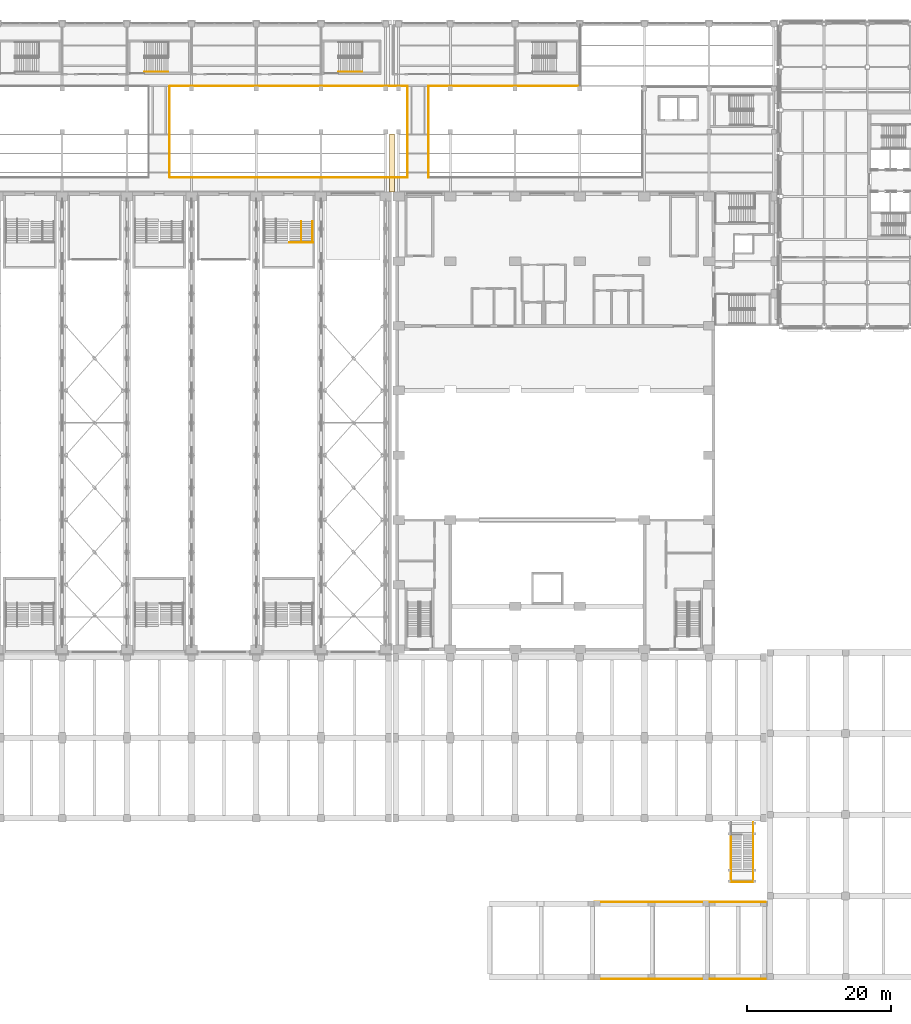
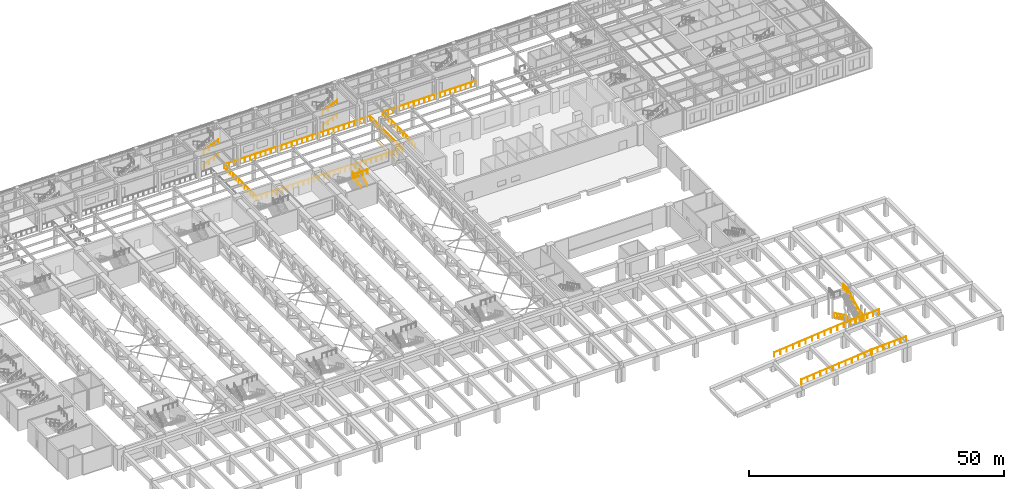
# One storey, part 70 of 76: 18 railings, 1 covering.
"""IFC4 building model written with IfcOpenShell, lengths in metres."""

from ifc_helpers import new_model, si_unit, direction, frame, origin, origin_2d, place, context, subcontext, project, spatial, polyline, circle, outline, extrude, material, layer, layer_set, type_object, element, save


model = new_model("IFC4")

# Units and contexts
model_context = context("Model", 3, precision=1e-05, world=origin(), true_north=direction((0.0, 1.0)))
body_context = subcontext(model_context, "Body", "Model", "MODEL_VIEW")
ifc_project = project(units=[si_unit("LENGTHUNIT", "METRE"), si_unit("AREAUNIT", "SQUARE_METRE"), si_unit("VOLUMEUNIT", "CUBIC_METRE"), si_unit("PLANEANGLEUNIT", "RADIAN"), si_unit("MASSUNIT", "GRAM", prefix="KILO")], contexts=[model_context])

# Site, building, storey
site_placement = place(None, origin())
site = spatial("IfcSite", under=ifc_project, at=site_placement, CompositionType="ELEMENT")
building_placement = place(site_placement, origin())
building = spatial("IfcBuilding", under=site, at=building_placement, Name="Aravalli Gate Trade Fair Centre", CompositionType="ELEMENT")
storey_placement = place(building_placement, frame((0.0, 0.0, 10.0)))
storey = spatial("IfcBuildingStorey", under=building, at=storey_placement, Name="L02", CompositionType="ELEMENT", Elevation=10.0)

# Railings
ifc_material_1 = material(Name="Steel E350", Category="steel")
railing_type_1 = type_object("IfcRailingType", Name="Concourse guard 1100", PredefinedType="GUARDRAIL", material=ifc_material_1)
railing_1_placement = place(storey_placement, frame((74.949951171875, 111.64990234375, 0.0)))
element("IfcRailing", 1, at=railing_1_placement, inside=storey, type_object=railing_type_1, Name="Atrium guard S3 L02", PredefinedType="GUARDRAIL", context=body_context, shape_type="SweptSolid", body=[
    extrude(circle(Radius=0.02392578125, at=origin_2d()), frame((0.0, 0.0, 1.076171875), z_axis=(1.0, 0.0, 0.0), x_axis=(0.0, 1.0, 0.0)), (0.0, 0.0, 1.0), 33.10009765625),
    extrude(circle(Radius=0.02099609375, at=origin_2d()), origin(), (0.0, 0.0, 1.0), 1.052001953125),
    extrude(circle(Radius=0.02099609375, at=origin_2d()), frame((1.18212890625, 0.0, 0.0)), (0.0, 0.0, 1.0), 1.052001953125),
    extrude(circle(Radius=0.02099609375, at=origin_2d()), frame((2.3642578125, 0.0, 0.0)), (0.0, 0.0, 1.0), 1.052001953125),
    extrude(circle(Radius=0.02099609375, at=origin_2d()), frame((3.54638671875, 0.0, 0.0)), (0.0, 0.0, 1.0), 1.052001953125),
    extrude(circle(Radius=0.02099609375, at=origin_2d()), frame((4.728515625, 0.0, 0.0)), (0.0, 0.0, 1.0), 1.052001953125),
    extrude(circle(Radius=0.02099609375, at=origin_2d()), frame((5.91064453125, 0.0, 0.0)), (0.0, 0.0, 1.0), 1.052001953125),
    extrude(circle(Radius=0.02099609375, at=origin_2d()), frame((7.0927734375, 0.0, 0.0)), (0.0, 0.0, 1.0), 1.052001953125),
    extrude(circle(Radius=0.02099609375, at=origin_2d()), frame((8.27490234375, 0.0, 0.0)), (0.0, 0.0, 1.0), 1.052001953125),
    extrude(circle(Radius=0.02099609375, at=origin_2d()), frame((9.457275390625, 0.0, 0.0)), (0.0, 0.0, 1.0), 1.052001953125),
    extrude(circle(Radius=0.02099609375, at=origin_2d()), frame((10.639404296875, 0.0, 0.0)), (0.0, 0.0, 1.0), 1.052001953125),
    extrude(circle(Radius=0.02099609375, at=origin_2d()), frame((11.821533203125, 0.0, 0.0)), (0.0, 0.0, 1.0), 1.052001953125),
    extrude(circle(Radius=0.02099609375, at=origin_2d()), frame((13.003662109375, 0.0, 0.0)), (0.0, 0.0, 1.0), 1.052001953125),
    extrude(circle(Radius=0.02099609375, at=origin_2d()), frame((14.185791015625, 0.0, 0.0)), (0.0, 0.0, 1.0), 1.052001953125),
    extrude(circle(Radius=0.02099609375, at=origin_2d()), frame((15.367919921875, 0.0, 0.0)), (0.0, 0.0, 1.0), 1.052001953125),
    extrude(circle(Radius=0.02099609375, at=origin_2d()), frame((16.550048828125, 0.0, 0.0)), (0.0, 0.0, 1.0), 1.052001953125),
    extrude(circle(Radius=0.02099609375, at=origin_2d()), frame((17.732177734375, 0.0, 0.0)), (0.0, 0.0, 1.0), 1.052001953125),
    extrude(circle(Radius=0.02099609375, at=origin_2d()), frame((18.914306640625, 0.0, 0.0)), (0.0, 0.0, 1.0), 1.052001953125),
    extrude(circle(Radius=0.02099609375, at=origin_2d()), frame((20.096435546875, 0.0, 0.0)), (0.0, 0.0, 1.0), 1.052001953125),
    extrude(circle(Radius=0.02099609375, at=origin_2d()), frame((21.278564453125, 0.0, 0.0)), (0.0, 0.0, 1.0), 1.052001953125),
    extrude(circle(Radius=0.02099609375, at=origin_2d()), frame((22.460693359375, 0.0, 0.0)), (0.0, 0.0, 1.0), 1.052001953125),
    extrude(circle(Radius=0.02099609375, at=origin_2d()), frame((23.642822265625, 0.0, 0.0)), (0.0, 0.0, 1.0), 1.052001953125),
    extrude(circle(Radius=0.02099609375, at=origin_2d()), frame((24.8251953125, 0.0, 0.0)), (0.0, 0.0, 1.0), 1.052001953125),
    extrude(circle(Radius=0.02099609375, at=origin_2d()), frame((26.00732421875, 0.0, 0.0)), (0.0, 0.0, 1.0), 1.052001953125),
    extrude(circle(Radius=0.02099609375, at=origin_2d()), frame((27.189453125, 0.0, 0.0)), (0.0, 0.0, 1.0), 1.052001953125),
    extrude(circle(Radius=0.02099609375, at=origin_2d()), frame((28.37158203125, 0.0, 0.0)), (0.0, 0.0, 1.0), 1.052001953125),
    extrude(circle(Radius=0.02099609375, at=origin_2d()), frame((29.5537109375, 0.0, 0.0)), (0.0, 0.0, 1.0), 1.052001953125),
    extrude(circle(Radius=0.02099609375, at=origin_2d()), frame((30.73583984375, 0.0, 0.0)), (0.0, 0.0, 1.0), 1.052001953125),
    extrude(circle(Radius=0.02099609375, at=origin_2d()), frame((31.91796875, 0.0, 0.0)), (0.0, 0.0, 1.0), 1.052001953125),
    extrude(circle(Radius=0.02099609375, at=origin_2d()), frame((33.10009765625, 0.0, 0.0)), (0.0, 0.0, 1.0), 1.052001953125),
])
railing_2_placement = place(storey_placement, frame((74.949951171875, 124.35009765625, 0.0)))
element("IfcRailing", 2, at=railing_2_placement, inside=storey, type_object=railing_type_1, Name="Atrium guard N3 L02", PredefinedType="GUARDRAIL", context=body_context, shape_type="SweptSolid", body=[
    extrude(circle(Radius=0.02392578125, at=origin_2d()), frame((0.0, 0.0, 1.076171875), z_axis=(1.0, 0.0, 0.0), x_axis=(0.0, 1.0, 0.0)), (0.0, 0.0, 1.0), 33.10009765625),
    extrude(circle(Radius=0.02099609375, at=origin_2d()), origin(), (0.0, 0.0, 1.0), 1.052001953125),
    extrude(circle(Radius=0.02099609375, at=origin_2d()), frame((1.18212890625, 0.0, 0.0)), (0.0, 0.0, 1.0), 1.052001953125),
    extrude(circle(Radius=0.02099609375, at=origin_2d()), frame((2.3642578125, 0.0, 0.0)), (0.0, 0.0, 1.0), 1.052001953125),
    extrude(circle(Radius=0.02099609375, at=origin_2d()), frame((3.54638671875, 0.0, 0.0)), (0.0, 0.0, 1.0), 1.052001953125),
    extrude(circle(Radius=0.02099609375, at=origin_2d()), frame((4.728515625, 0.0, 0.0)), (0.0, 0.0, 1.0), 1.052001953125),
    extrude(circle(Radius=0.02099609375, at=origin_2d()), frame((5.91064453125, 0.0, 0.0)), (0.0, 0.0, 1.0), 1.052001953125),
    extrude(circle(Radius=0.02099609375, at=origin_2d()), frame((7.0927734375, 0.0, 0.0)), (0.0, 0.0, 1.0), 1.052001953125),
    extrude(circle(Radius=0.02099609375, at=origin_2d()), frame((8.27490234375, 0.0, 0.0)), (0.0, 0.0, 1.0), 1.052001953125),
    extrude(circle(Radius=0.02099609375, at=origin_2d()), frame((9.457275390625, 0.0, 0.0)), (0.0, 0.0, 1.0), 1.052001953125),
    extrude(circle(Radius=0.02099609375, at=origin_2d()), frame((10.639404296875, 0.0, 0.0)), (0.0, 0.0, 1.0), 1.052001953125),
    extrude(circle(Radius=0.02099609375, at=origin_2d()), frame((11.821533203125, 0.0, 0.0)), (0.0, 0.0, 1.0), 1.052001953125),
    extrude(circle(Radius=0.02099609375, at=origin_2d()), frame((13.003662109375, 0.0, 0.0)), (0.0, 0.0, 1.0), 1.052001953125),
    extrude(circle(Radius=0.02099609375, at=origin_2d()), frame((14.185791015625, 0.0, 0.0)), (0.0, 0.0, 1.0), 1.052001953125),
    extrude(circle(Radius=0.02099609375, at=origin_2d()), frame((15.367919921875, 0.0, 0.0)), (0.0, 0.0, 1.0), 1.052001953125),
    extrude(circle(Radius=0.02099609375, at=origin_2d()), frame((16.550048828125, 0.0, 0.0)), (0.0, 0.0, 1.0), 1.052001953125),
    extrude(circle(Radius=0.02099609375, at=origin_2d()), frame((17.732177734375, 0.0, 0.0)), (0.0, 0.0, 1.0), 1.052001953125),
    extrude(circle(Radius=0.02099609375, at=origin_2d()), frame((18.914306640625, 0.0, 0.0)), (0.0, 0.0, 1.0), 1.052001953125),
    extrude(circle(Radius=0.02099609375, at=origin_2d()), frame((20.096435546875, 0.0, 0.0)), (0.0, 0.0, 1.0), 1.052001953125),
    extrude(circle(Radius=0.02099609375, at=origin_2d()), frame((21.278564453125, 0.0, 0.0)), (0.0, 0.0, 1.0), 1.052001953125),
    extrude(circle(Radius=0.02099609375, at=origin_2d()), frame((22.460693359375, 0.0, 0.0)), (0.0, 0.0, 1.0), 1.052001953125),
    extrude(circle(Radius=0.02099609375, at=origin_2d()), frame((23.642822265625, 0.0, 0.0)), (0.0, 0.0, 1.0), 1.052001953125),
    extrude(circle(Radius=0.02099609375, at=origin_2d()), frame((24.8251953125, 0.0, 0.0)), (0.0, 0.0, 1.0), 1.052001953125),
    extrude(circle(Radius=0.02099609375, at=origin_2d()), frame((26.00732421875, 0.0, 0.0)), (0.0, 0.0, 1.0), 1.052001953125),
    extrude(circle(Radius=0.02099609375, at=origin_2d()), frame((27.189453125, 0.0, 0.0)), (0.0, 0.0, 1.0), 1.052001953125),
    extrude(circle(Radius=0.02099609375, at=origin_2d()), frame((28.37158203125, 0.0, 0.0)), (0.0, 0.0, 1.0), 1.052001953125),
    extrude(circle(Radius=0.02099609375, at=origin_2d()), frame((29.5537109375, 0.0, 0.0)), (0.0, 0.0, 1.0), 1.052001953125),
    extrude(circle(Radius=0.02099609375, at=origin_2d()), frame((30.73583984375, 0.0, 0.0)), (0.0, 0.0, 1.0), 1.052001953125),
    extrude(circle(Radius=0.02099609375, at=origin_2d()), frame((31.91796875, 0.0, 0.0)), (0.0, 0.0, 1.0), 1.052001953125),
    extrude(circle(Radius=0.02099609375, at=origin_2d()), frame((33.10009765625, 0.0, 0.0)), (0.0, 0.0, 1.0), 1.052001953125),
])
railing_3_placement = place(storey_placement, frame((110.949951171875, 124.35009765625, 0.0)))
element("IfcRailing", 3, at=railing_3_placement, inside=storey, type_object=railing_type_1, Name="Atrium guard N4 L02", PredefinedType="GUARDRAIL", context=body_context, shape_type="SweptSolid", body=[
    extrude(circle(Radius=0.02392578125, at=origin_2d()), frame((0.0, 0.0, 1.076171875), z_axis=(1.0, 0.0, 0.0), x_axis=(0.0, 1.0, 0.0)), (0.0, 0.0, 1.0), 21.150146484375),
    extrude(circle(Radius=0.02099609375, at=origin_2d()), origin(), (0.0, 0.0, 1.0), 1.052001953125),
    extrude(circle(Radius=0.02099609375, at=origin_2d()), frame((1.175048828125, 0.0, 0.0)), (0.0, 0.0, 1.0), 1.052001953125),
    extrude(circle(Radius=0.02099609375, at=origin_2d()), frame((2.35009765625, 0.0, 0.0)), (0.0, 0.0, 1.0), 1.052001953125),
    extrude(circle(Radius=0.02099609375, at=origin_2d()), frame((3.52490234375, 0.0, 0.0)), (0.0, 0.0, 1.0), 1.052001953125),
    extrude(circle(Radius=0.02099609375, at=origin_2d()), frame((4.699951171875, 0.0, 0.0)), (0.0, 0.0, 1.0), 1.052001953125),
    extrude(circle(Radius=0.02099609375, at=origin_2d()), frame((5.875, 0.0, 0.0)), (0.0, 0.0, 1.0), 1.052001953125),
    extrude(circle(Radius=0.02099609375, at=origin_2d()), frame((7.050048828125, 0.0, 0.0)), (0.0, 0.0, 1.0), 1.052001953125),
    extrude(circle(Radius=0.02099609375, at=origin_2d()), frame((8.22509765625, 0.0, 0.0)), (0.0, 0.0, 1.0), 1.052001953125),
    extrude(circle(Radius=0.02099609375, at=origin_2d()), frame((9.400146484375, 0.0, 0.0)), (0.0, 0.0, 1.0), 1.052001953125),
    extrude(circle(Radius=0.02099609375, at=origin_2d()), frame((10.5751953125, 0.0, 0.0)), (0.0, 0.0, 1.0), 1.052001953125),
    extrude(circle(Radius=0.02099609375, at=origin_2d()), frame((11.75, 0.0, 0.0)), (0.0, 0.0, 1.0), 1.052001953125),
    extrude(circle(Radius=0.02099609375, at=origin_2d()), frame((12.925048828125, 0.0, 0.0)), (0.0, 0.0, 1.0), 1.052001953125),
    extrude(circle(Radius=0.02099609375, at=origin_2d()), frame((14.10009765625, 0.0, 0.0)), (0.0, 0.0, 1.0), 1.052001953125),
    extrude(circle(Radius=0.02099609375, at=origin_2d()), frame((15.275146484375, 0.0, 0.0)), (0.0, 0.0, 1.0), 1.052001953125),
    extrude(circle(Radius=0.02099609375, at=origin_2d()), frame((16.4501953125, 0.0, 0.0)), (0.0, 0.0, 1.0), 1.052001953125),
    extrude(circle(Radius=0.02099609375, at=origin_2d()), frame((17.625, 0.0, 0.0)), (0.0, 0.0, 1.0), 1.052001953125),
    extrude(circle(Radius=0.02099609375, at=origin_2d()), frame((18.800048828125, 0.0, 0.0)), (0.0, 0.0, 1.0), 1.052001953125),
    extrude(circle(Radius=0.02099609375, at=origin_2d()), frame((19.97509765625, 0.0, 0.0)), (0.0, 0.0, 1.0), 1.052001953125),
    extrude(circle(Radius=0.02099609375, at=origin_2d()), frame((21.150146484375, 0.0, 0.0)), (0.0, 0.0, 1.0), 1.052001953125),
])
for number, where, name in (
    (4, (74.949951171875, 111.64990234375, 0.0), "Atrium guard BB2 L02"),
    (5, (108.050048828125, 111.64990234375, 0.0), "Atrium guard BA3 L02"),
    (6, (110.949951171875, 111.64990234375, 0.0), "Atrium guard BB3 L02"),
):
    element("IfcRailing", number, at=place(storey_placement, frame(where)), inside=storey, type_object=railing_type_1, Name=name, PredefinedType="GUARDRAIL", context=body_context, shape_type="SweptSolid", body=[
        extrude(circle(Radius=0.02392578125, at=origin_2d()), frame((0.0, 0.0, 1.076171875), z_axis=(0.0, 1.0, 0.0), x_axis=(-1.0, 0.0, 0.0)), (0.0, 0.0, 1.0), 12.7001953125),
        extrude(circle(Radius=0.02099609375, at=origin_2d()), origin(), (0.0, 0.0, 1.0), 1.052001953125),
        extrude(circle(Radius=0.02099609375, at=origin_2d()), frame((0.0, 1.154541015625, 0.0)), (0.0, 0.0, 1.0), 1.052001953125),
        extrude(circle(Radius=0.02099609375, at=origin_2d()), frame((0.0, 2.30908203125, 0.0)), (0.0, 0.0, 1.0), 1.052001953125),
        extrude(circle(Radius=0.02099609375, at=origin_2d()), frame((0.0, 3.463623046875, 0.0)), (0.0, 0.0, 1.0), 1.052001953125),
        extrude(circle(Radius=0.02099609375, at=origin_2d()), frame((0.0, 4.6181640625, 0.0)), (0.0, 0.0, 1.0), 1.052001953125),
        extrude(circle(Radius=0.02099609375, at=origin_2d()), frame((0.0, 5.772705078125, 0.0)), (0.0, 0.0, 1.0), 1.052001953125),
        extrude(circle(Radius=0.02099609375, at=origin_2d()), frame((0.0, 6.927490234375, 0.0)), (0.0, 0.0, 1.0), 1.052001953125),
        extrude(circle(Radius=0.02099609375, at=origin_2d()), frame((0.0, 8.08203125, 0.0)), (0.0, 0.0, 1.0), 1.052001953125),
        extrude(circle(Radius=0.02099609375, at=origin_2d()), frame((0.0, 9.236572265625, 0.0)), (0.0, 0.0, 1.0), 1.052001953125),
        extrude(circle(Radius=0.02099609375, at=origin_2d()), frame((0.0, 10.39111328125, 0.0)), (0.0, 0.0, 1.0), 1.052001953125),
        extrude(circle(Radius=0.02099609375, at=origin_2d()), frame((0.0, 11.545654296875, 0.0)), (0.0, 0.0, 1.0), 1.052001953125),
        extrude(circle(Radius=0.02099609375, at=origin_2d()), frame((0.0, 12.7001953125, 0.0)), (0.0, 0.0, 1.0), 1.052001953125),
    ])
railing_type_2 = type_object("IfcRailingType", Name="Concourse stair handrail 900", PredefinedType="HANDRAIL", material=ifc_material_1)
railing_4_placement = place(storey_placement, frame((71.449951171875, 126.35009765625, 0.138916015625)))
element("IfcRailing", 7, at=railing_4_placement, inside=storey, type_object=railing_type_2, Name="Handrail XC L02 flight 1o", PredefinedType="HANDRAIL", context=body_context, shape_type="SweptSolid", body=[
    extrude(circle(Radius=0.02392578125, at=origin_2d()), frame((0.0, 0.0, 0.8759765625), z_axis=(0.907499493834, 0.0, 0.420053173647), x_axis=(0.0, 1.0, 0.0)), (0.0, 0.0, 1.0), 1.322265625),
    extrude(circle(Radius=0.02392578125, at=origin_2d()), frame((1.199951171875, 0.0, 1.43115234375), z_axis=(0.907461694017, 0.0, 0.420134828231), x_axis=(0.0, 1.0, 0.0)), (0.0, 0.0, 1.0), 1.322509765625),
    extrude(circle(Radius=0.02392578125, at=origin_2d()), frame((2.400146484375, 0.0, 1.98681640625), z_axis=(0.907418235185, 0.0, 0.420228683522), x_axis=(0.0, 1.0, 0.0)), (0.0, 0.0, 1.0), 0.99169921875),
    extrude(circle(Radius=0.02099609375, at=origin_2d()), origin(), (0.0, 0.0, 1.0), 0.851806640625),
    extrude(circle(Radius=0.02099609375, at=origin_2d()), frame((1.199951171875, 0.0, 0.555419921875)), (0.0, 0.0, 1.0), 0.851806640625),
    extrude(circle(Radius=0.02099609375, at=origin_2d()), frame((2.400146484375, 0.0, 1.111083984375)), (0.0, 0.0, 1.0), 0.851806640625),
    extrude(circle(Radius=0.02099609375, at=origin_2d()), frame((3.300048828125, 0.0, 1.52783203125)), (0.0, 0.0, 1.0), 0.851806640625),
])
railing_5_placement = place(storey_placement, frame((71.449951171875, 126.35009765625, 3.47216796875)))
element("IfcRailing", 8, at=railing_5_placement, inside=storey, type_object=railing_type_2, Name="Handrail XC L02 flight 3o", PredefinedType="HANDRAIL", context=body_context, shape_type="SweptSolid", body=[
    extrude(circle(Radius=0.02392578125, at=origin_2d()), frame((0.0, 0.0, 0.8759765625), z_axis=(0.907429102623, 0.0, 0.420205216189), x_axis=(0.0, 1.0, 0.0)), (0.0, 0.0, 1.0), 1.322265625),
    extrude(circle(Radius=0.02392578125, at=origin_2d()), frame((1.199951171875, 0.0, 1.431640625), z_axis=(0.907532064172, 0.0, 0.419982800242), x_axis=(0.0, 1.0, 0.0)), (0.0, 0.0, 1.0), 1.322509765625),
    extrude(circle(Radius=0.02392578125, at=origin_2d()), frame((2.400146484375, 0.0, 1.98681640625), z_axis=(0.907418235185, 0.0, 0.420228683522), x_axis=(0.0, 1.0, 0.0)), (0.0, 0.0, 1.0), 0.99169921875),
    extrude(circle(Radius=0.02099609375, at=origin_2d()), origin(), (0.0, 0.0, 1.0), 0.851806640625),
    extrude(circle(Radius=0.02099609375, at=origin_2d()), frame((1.199951171875, 0.0, 0.5556640625)), (0.0, 0.0, 1.0), 0.851806640625),
    extrude(circle(Radius=0.02099609375, at=origin_2d()), frame((2.400146484375, 0.0, 1.111083984375)), (0.0, 0.0, 1.0), 0.851806640625),
    extrude(circle(Radius=0.02099609375, at=origin_2d()), frame((3.300048828125, 0.0, 1.52783203125)), (0.0, 0.0, 1.0), 0.851806640625),
])
railing_6_placement = place(storey_placement, frame((98.449951171875, 126.35009765625, 0.138916015625)))
element("IfcRailing", 9, at=railing_6_placement, inside=storey, type_object=railing_type_2, Name="Handrail XD L02 flight 1o", PredefinedType="HANDRAIL", context=body_context, shape_type="SweptSolid", body=[
    extrude(circle(Radius=0.02392578125, at=origin_2d()), frame((0.0, 0.0, 0.8759765625), z_axis=(0.907499493834, 0.0, 0.420053173647), x_axis=(0.0, 1.0, 0.0)), (0.0, 0.0, 1.0), 1.322265625),
    extrude(circle(Radius=0.02392578125, at=origin_2d()), frame((1.199951171875, 0.0, 1.43115234375), z_axis=(0.907461694017, 0.0, 0.420134828231), x_axis=(0.0, 1.0, 0.0)), (0.0, 0.0, 1.0), 1.322509765625),
    extrude(circle(Radius=0.02392578125, at=origin_2d()), frame((2.400146484375, 0.0, 1.98681640625), z_axis=(0.907418235185, 0.0, 0.420228683522), x_axis=(0.0, 1.0, 0.0)), (0.0, 0.0, 1.0), 0.99169921875),
    extrude(circle(Radius=0.02099609375, at=origin_2d()), origin(), (0.0, 0.0, 1.0), 0.851806640625),
    extrude(circle(Radius=0.02099609375, at=origin_2d()), frame((1.199951171875, 0.0, 0.555419921875)), (0.0, 0.0, 1.0), 0.851806640625),
    extrude(circle(Radius=0.02099609375, at=origin_2d()), frame((2.400146484375, 0.0, 1.111083984375)), (0.0, 0.0, 1.0), 0.851806640625),
    extrude(circle(Radius=0.02099609375, at=origin_2d()), frame((3.300048828125, 0.0, 1.52783203125)), (0.0, 0.0, 1.0), 0.851806640625),
])
railing_7_placement = place(storey_placement, frame((98.449951171875, 126.35009765625, 3.47216796875)))
element("IfcRailing", 10, at=railing_7_placement, inside=storey, type_object=railing_type_2, Name="Handrail XD L02 flight 3o", PredefinedType="HANDRAIL", context=body_context, shape_type="SweptSolid", body=[
    extrude(circle(Radius=0.02392578125, at=origin_2d()), frame((0.0, 0.0, 0.8759765625), z_axis=(0.907429102623, 0.0, 0.420205216189), x_axis=(0.0, 1.0, 0.0)), (0.0, 0.0, 1.0), 1.322265625),
    extrude(circle(Radius=0.02392578125, at=origin_2d()), frame((1.199951171875, 0.0, 1.431640625), z_axis=(0.907532064172, 0.0, 0.419982800242), x_axis=(0.0, 1.0, 0.0)), (0.0, 0.0, 1.0), 1.322509765625),
    extrude(circle(Radius=0.02392578125, at=origin_2d()), frame((2.400146484375, 0.0, 1.98681640625), z_axis=(0.907418235185, 0.0, 0.420228683522), x_axis=(0.0, 1.0, 0.0)), (0.0, 0.0, 1.0), 0.99169921875),
    extrude(circle(Radius=0.02099609375, at=origin_2d()), origin(), (0.0, 0.0, 1.0), 0.851806640625),
    extrude(circle(Radius=0.02099609375, at=origin_2d()), frame((1.199951171875, 0.0, 0.5556640625)), (0.0, 0.0, 1.0), 0.851806640625),
    extrude(circle(Radius=0.02099609375, at=origin_2d()), frame((2.400146484375, 0.0, 1.111083984375)), (0.0, 0.0, 1.0), 0.851806640625),
    extrude(circle(Radius=0.02099609375, at=origin_2d()), frame((3.300048828125, 0.0, 1.52783203125)), (0.0, 0.0, 1.0), 0.851806640625),
])
railing_type_3 = type_object("IfcRailingType", Name="Edge guard 1100", PredefinedType="GUARDRAIL", material=ifc_material_1)
railing_8_placement = place(storey_placement, frame((134.1201171875, 0.14990234375, 3.011962890625)))
element("IfcRailing", 11, at=railing_8_placement, inside=storey, type_object=railing_type_3, Name="Ramp guard RA1-F2.5 S", PredefinedType="GUARDRAIL", context=body_context, shape_type="SweptSolid", body=[
    extrude(circle(Radius=0.02392578125, at=origin_2d()), frame((0.0, 0.0, 1.076171875), z_axis=(0.995037495443, 0.0, 0.099500666642), x_axis=(0.0, 1.0, 0.0)), (0.0, 0.0, 1.0), 15.83837890625),
    extrude(circle(Radius=0.02099609375, at=origin_2d()), origin(), (0.0, 0.0, 1.0), 1.052001953125),
    extrude(circle(Radius=0.02099609375, at=origin_2d()), frame((1.4326171875, 0.0, 0.143310546875)), (0.0, 0.0, 1.0), 1.052001953125),
    extrude(circle(Radius=0.02099609375, at=origin_2d()), frame((2.865478515625, 0.0, 0.28662109375)), (0.0, 0.0, 1.0), 1.052001953125),
    extrude(circle(Radius=0.02099609375, at=origin_2d()), frame((4.298095703125, 0.0, 0.4296875)), (0.0, 0.0, 1.0), 1.052001953125),
    extrude(circle(Radius=0.02099609375, at=origin_2d()), frame((5.730712890625, 0.0, 0.572998046875)), (0.0, 0.0, 1.0), 1.052001953125),
    extrude(circle(Radius=0.02099609375, at=origin_2d()), frame((7.16357421875, 0.0, 0.71630859375)), (0.0, 0.0, 1.0), 1.052001953125),
    extrude(circle(Radius=0.02099609375, at=origin_2d()), frame((8.59619140625, 0.0, 0.859619140625)), (0.0, 0.0, 1.0), 1.052001953125),
    extrude(circle(Radius=0.02099609375, at=origin_2d()), frame((10.029052734375, 0.0, 1.0029296875)), (0.0, 0.0, 1.0), 1.052001953125),
    extrude(circle(Radius=0.02099609375, at=origin_2d()), frame((11.461669921875, 0.0, 1.146240234375)), (0.0, 0.0, 1.0), 1.052001953125),
    extrude(circle(Radius=0.02099609375, at=origin_2d()), frame((12.894287109375, 0.0, 1.289306640625)), (0.0, 0.0, 1.0), 1.052001953125),
    extrude(circle(Radius=0.02099609375, at=origin_2d()), frame((14.3271484375, 0.0, 1.4326171875)), (0.0, 0.0, 1.0), 1.052001953125),
    extrude(circle(Radius=0.02099609375, at=origin_2d()), frame((15.759765625, 0.0, 1.575927734375)), (0.0, 0.0, 1.0), 1.052001953125),
])
railing_9_placement = place(storey_placement, frame((134.1201171875, 10.85009765625, 3.011962890625)))
element("IfcRailing", 12, at=railing_9_placement, inside=storey, type_object=railing_type_3, Name="Ramp guard RA1-F2.5 N", PredefinedType="GUARDRAIL", context=body_context, shape_type="SweptSolid", body=[
    extrude(circle(Radius=0.02392578125, at=origin_2d()), frame((0.0, 0.0, 1.076171875), z_axis=(0.995037495443, 0.0, 0.099500666642), x_axis=(0.0, 1.0, 0.0)), (0.0, 0.0, 1.0), 15.83837890625),
    extrude(circle(Radius=0.02099609375, at=origin_2d()), origin(), (0.0, 0.0, 1.0), 1.052001953125),
    extrude(circle(Radius=0.02099609375, at=origin_2d()), frame((1.4326171875, 0.0, 0.143310546875)), (0.0, 0.0, 1.0), 1.052001953125),
    extrude(circle(Radius=0.02099609375, at=origin_2d()), frame((2.865478515625, 0.0, 0.28662109375)), (0.0, 0.0, 1.0), 1.052001953125),
    extrude(circle(Radius=0.02099609375, at=origin_2d()), frame((4.298095703125, 0.0, 0.4296875)), (0.0, 0.0, 1.0), 1.052001953125),
    extrude(circle(Radius=0.02099609375, at=origin_2d()), frame((5.730712890625, 0.0, 0.572998046875)), (0.0, 0.0, 1.0), 1.052001953125),
    extrude(circle(Radius=0.02099609375, at=origin_2d()), frame((7.16357421875, 0.0, 0.71630859375)), (0.0, 0.0, 1.0), 1.052001953125),
    extrude(circle(Radius=0.02099609375, at=origin_2d()), frame((8.59619140625, 0.0, 0.859619140625)), (0.0, 0.0, 1.0), 1.052001953125),
    extrude(circle(Radius=0.02099609375, at=origin_2d()), frame((10.029052734375, 0.0, 1.0029296875)), (0.0, 0.0, 1.0), 1.052001953125),
    extrude(circle(Radius=0.02099609375, at=origin_2d()), frame((11.461669921875, 0.0, 1.146240234375)), (0.0, 0.0, 1.0), 1.052001953125),
    extrude(circle(Radius=0.02099609375, at=origin_2d()), frame((12.894287109375, 0.0, 1.289306640625)), (0.0, 0.0, 1.0), 1.052001953125),
    extrude(circle(Radius=0.02099609375, at=origin_2d()), frame((14.3271484375, 0.0, 1.4326171875)), (0.0, 0.0, 1.0), 1.052001953125),
    extrude(circle(Radius=0.02099609375, at=origin_2d()), frame((15.759765625, 0.0, 1.575927734375)), (0.0, 0.0, 1.0), 1.052001953125),
])
for number, where, name in (
    (13, (150.1201171875, 0.14990234375, 4.60595703125), "Ramp guard RA1-F3 S"),
    (14, (150.1201171875, 10.85009765625, 4.60595703125), "Ramp guard RA1-F3 N"),
):
    element("IfcRailing", number, at=place(storey_placement, frame(where)), inside=storey, type_object=railing_type_3, Name=name, PredefinedType="GUARDRAIL", context=body_context, shape_type="SweptSolid", body=[
        extrude(circle(Radius=0.02392578125, at=origin_2d()), frame((0.0, 0.0, 1.076171875), z_axis=(0.998752652306, 0.0, 0.04993134799), x_axis=(0.0, 1.0, 0.0)), (0.0, 0.0, 1.0), 7.76953125),
        extrude(circle(Radius=0.02099609375, at=origin_2d()), origin(), (0.0, 0.0, 1.0), 1.052001953125),
        extrude(circle(Radius=0.02099609375, at=origin_2d()), frame((1.293212890625, 0.0, 0.064697265625)), (0.0, 0.0, 1.0), 1.052001953125),
        extrude(circle(Radius=0.02099609375, at=origin_2d()), frame((2.586669921875, 0.0, 0.12939453125)), (0.0, 0.0, 1.0), 1.052001953125),
        extrude(circle(Radius=0.02099609375, at=origin_2d()), frame((3.8798828125, 0.0, 0.19384765625)), (0.0, 0.0, 1.0), 1.052001953125),
        extrude(circle(Radius=0.02099609375, at=origin_2d()), frame((5.173095703125, 0.0, 0.258544921875)), (0.0, 0.0, 1.0), 1.052001953125),
        extrude(circle(Radius=0.02099609375, at=origin_2d()), frame((6.466552734375, 0.0, 0.3232421875)), (0.0, 0.0, 1.0), 1.052001953125),
        extrude(circle(Radius=0.02099609375, at=origin_2d()), frame((7.759765625, 0.0, 0.387939453125)), (0.0, 0.0, 1.0), 1.052001953125),
    ])
railing_10_placement = place(storey_placement, frame((153.050048828125, 20.199951171875, 0.147216796875)))
element("IfcRailing", 15, at=railing_10_placement, inside=storey, type_object=railing_type_3, Name="Stair guard 2 L02 A", PredefinedType="GUARDRAIL", context=body_context, shape_type="SweptSolid", body=[
    extrude(circle(Radius=0.02392578125, at=origin_2d()), frame((0.0, 0.0, 1.076171875), z_axis=(0.0, -0.89793417156, 0.440129780343), x_axis=(1.0, 0.0, 0.0)), (0.0, 0.0, 1.0), 5.345703125),
    extrude(circle(Radius=0.02392578125, at=origin_2d()), frame((0.0, -4.800048828125, 3.4287109375), z_axis=(0.0, -1.0, 0.0), x_axis=(1.0, 0.0, 0.0)), (0.0, 0.0, 1.0), 1.75),
    extrude(circle(Radius=0.02392578125, at=origin_2d()), frame((0.0, -6.550048828125, 3.4287109375), z_axis=(1.0, 0.0, 0.0), x_axis=(0.0, 1.0, 0.0)), (0.0, 0.0, 1.0), 3.099853515625),
    extrude(circle(Radius=0.02392578125, at=origin_2d()), frame((3.099853515625, -6.550048828125, 3.4287109375), z_axis=(0.0, 1.0, 0.0), x_axis=(-1.0, 0.0, 0.0)), (0.0, 0.0, 1.0), 1.75),
    extrude(circle(Radius=0.02392578125, at=origin_2d()), frame((3.099853515625, -4.800048828125, 3.4287109375), z_axis=(0.0, 0.886916009322, 0.46193072252), x_axis=(-1.0, 0.0, 0.0)), (0.0, 0.0, 1.0), 5.412109375),
    extrude(circle(Radius=0.02392578125, at=origin_2d()), frame((3.099853515625, 0.0, 5.9287109375), z_axis=(0.0, 1.0, 0.0), x_axis=(-1.0, 0.0, 0.0)), (0.0, 0.0, 1.0), 1.75),
    extrude(circle(Radius=0.02099609375, at=origin_2d()), origin(), (0.0, 0.0, 1.0), 1.052001953125),
    extrude(circle(Radius=0.02099609375, at=origin_2d()), frame((0.0, -1.199951171875, 0.588134765625)), (0.0, 0.0, 1.0), 1.052001953125),
    extrude(circle(Radius=0.02099609375, at=origin_2d()), frame((0.0, -2.39990234375, 1.17626953125)), (0.0, 0.0, 1.0), 1.052001953125),
    extrude(circle(Radius=0.02099609375, at=origin_2d()), frame((0.0, -3.60009765625, 1.7646484375)), (0.0, 0.0, 1.0), 1.052001953125),
    extrude(circle(Radius=0.02099609375, at=origin_2d()), frame((0.0, -4.800048828125, 2.352783203125)), (0.0, 0.0, 1.0), 1.052001953125),
    extrude(circle(Radius=0.02099609375, at=origin_2d()), frame((0.0, -5.675048828125, 2.352783203125)), (0.0, 0.0, 1.0), 1.052001953125),
    extrude(circle(Radius=0.02099609375, at=origin_2d()), frame((0.0, -6.550048828125, 2.352783203125)), (0.0, 0.0, 1.0), 1.052001953125),
    extrude(circle(Radius=0.02099609375, at=origin_2d()), frame((1.033203125, -6.550048828125, 2.352783203125)), (0.0, 0.0, 1.0), 1.052001953125),
    extrude(circle(Radius=0.02099609375, at=origin_2d()), frame((2.066650390625, -6.550048828125, 2.352783203125)), (0.0, 0.0, 1.0), 1.052001953125),
    extrude(circle(Radius=0.02099609375, at=origin_2d()), frame((3.099853515625, -6.550048828125, 2.352783203125)), (0.0, 0.0, 1.0), 1.052001953125),
    extrude(circle(Radius=0.02099609375, at=origin_2d()), frame((3.099853515625, -5.675048828125, 2.352783203125)), (0.0, 0.0, 1.0), 1.052001953125),
    extrude(circle(Radius=0.02099609375, at=origin_2d()), frame((3.099853515625, -4.800048828125, 2.352783203125)), (0.0, 0.0, 1.0), 1.052001953125),
    extrude(circle(Radius=0.02099609375, at=origin_2d()), frame((3.099853515625, -3.60009765625, 2.977783203125)), (0.0, 0.0, 1.0), 1.052001953125),
    extrude(circle(Radius=0.02099609375, at=origin_2d()), frame((3.099853515625, -2.39990234375, 3.602783203125)), (0.0, 0.0, 1.0), 1.052001953125),
    extrude(circle(Radius=0.02099609375, at=origin_2d()), frame((3.099853515625, -1.199951171875, 4.227783203125)), (0.0, 0.0, 1.0), 1.052001953125),
    extrude(circle(Radius=0.02099609375, at=origin_2d()), frame((3.099853515625, 0.0, 4.852783203125)), (0.0, 0.0, 1.0), 1.052001953125),
    extrude(circle(Radius=0.02099609375, at=origin_2d()), frame((3.099853515625, 0.875, 4.852783203125)), (0.0, 0.0, 1.0), 1.052001953125),
    extrude(circle(Radius=0.02099609375, at=origin_2d()), frame((3.099853515625, 1.75, 4.852783203125)), (0.0, 0.0, 1.0), 1.052001953125),
])

# Covering
ifc_material_2 = material(Name="Stainless steel", Category="steel")
ifc_layer = layer(ifc_material_2, 0.010009765625)
ifc_layer_set = layer_set([ifc_layer], Name="Stainless steel")
covering_type = type_object("IfcCoveringType", Name="Joint cover plate, stainless steel 10", PredefinedType="FLOORING", material=ifc_layer_set)
covering_placement = place(storey_placement, origin())
element("IfcCovering", 16, at=covering_placement, inside=storey, type_object=covering_type, Name="Joint cover plate J2 L02 1", PredefinedType="FLOORING", context=body_context, shape_type="SweptSolid", body=[
    extrude(outline(polyline([(106.25, 109.60009765625), (106.25, 117.699951171875), (105.550048828125, 117.699951171875), (105.550048828125, 109.60009765625), (106.25, 109.60009765625)])), origin(), (0.0, 0.0, 1.0), 0.010009765625),
])

# Railings
railing_type_4 = type_object("IfcRailingType", Name="Stair guard 1100", PredefinedType="GUARDRAIL", material=ifc_material_1)
railing_11_placement = place(storey_placement, frame((91.6298828125, 102.60009765625, 5.0)))
element("IfcRailing", 17, at=railing_11_placement, inside=storey, type_object=railing_type_4, Name="Guard N10 L02 head", PredefinedType="GUARDRAIL", context=body_context, shape_type="SweptSolid", body=[
    extrude(circle(Radius=0.02392578125, at=origin_2d()), frame((0.0, 0.0, 1.076171875), z_axis=(1.0, 0.0, 0.0), x_axis=(0.0, 1.0, 0.0)), (0.0, 0.0, 1.0), 3.27001953125),
    extrude(circle(Radius=0.02099609375, at=origin_2d()), origin(), (0.0, 0.0, 1.0), 1.052001953125),
    extrude(circle(Radius=0.02099609375, at=origin_2d()), frame((1.090087890625, 0.0, 0.0)), (0.0, 0.0, 1.0), 1.052001953125),
    extrude(circle(Radius=0.02099609375, at=origin_2d()), frame((2.179931640625, 0.0, 0.0)), (0.0, 0.0, 1.0), 1.052001953125),
    extrude(circle(Radius=0.02099609375, at=origin_2d()), frame((3.27001953125, 0.0, 0.0)), (0.0, 0.0, 1.0), 1.052001953125),
])
railing_type_5 = type_object("IfcRailingType", Name="Stair handrail 900", PredefinedType="HANDRAIL", material=ifc_material_1)
for number, where, name in (
    (18, (94.830078125, 102.550048828125, 1.911865234375), "Handrail N10 L02 3"),
    (19, (93.25, 102.550048828125, 1.911865234375), "Handrail centre N10 L02 4"),
):
    element("IfcRailing", number, at=place(storey_placement, frame(where)), inside=storey, type_object=railing_type_5, Name=name, PredefinedType="HANDRAIL", context=body_context, shape_type="SweptSolid", body=[
        extrude(circle(Radius=0.02392578125, at=origin_2d()), frame((0.0, 0.0, 0.8759765625), z_axis=(0.0, 0.897936012048, 0.440126025437), x_axis=(-1.0, 0.0, 0.0)), (0.0, 0.0, 1.0), 3.341064453125),
        extrude(circle(Radius=0.02099609375, at=origin_2d()), origin(), (0.0, 0.0, 1.0), 0.851806640625),
        extrude(circle(Radius=0.02099609375, at=origin_2d()), frame((0.0, 1.0, 0.490234375)), (0.0, 0.0, 1.0), 0.851806640625),
        extrude(circle(Radius=0.02099609375, at=origin_2d()), frame((0.0, 2.0, 0.980224609375)), (0.0, 0.0, 1.0), 0.851806640625),
        extrude(circle(Radius=0.02099609375, at=origin_2d()), frame((0.0, 3.0, 1.470458984375)), (0.0, 0.0, 1.0), 0.851806640625),
    ])

save(model, "model.ifc")
